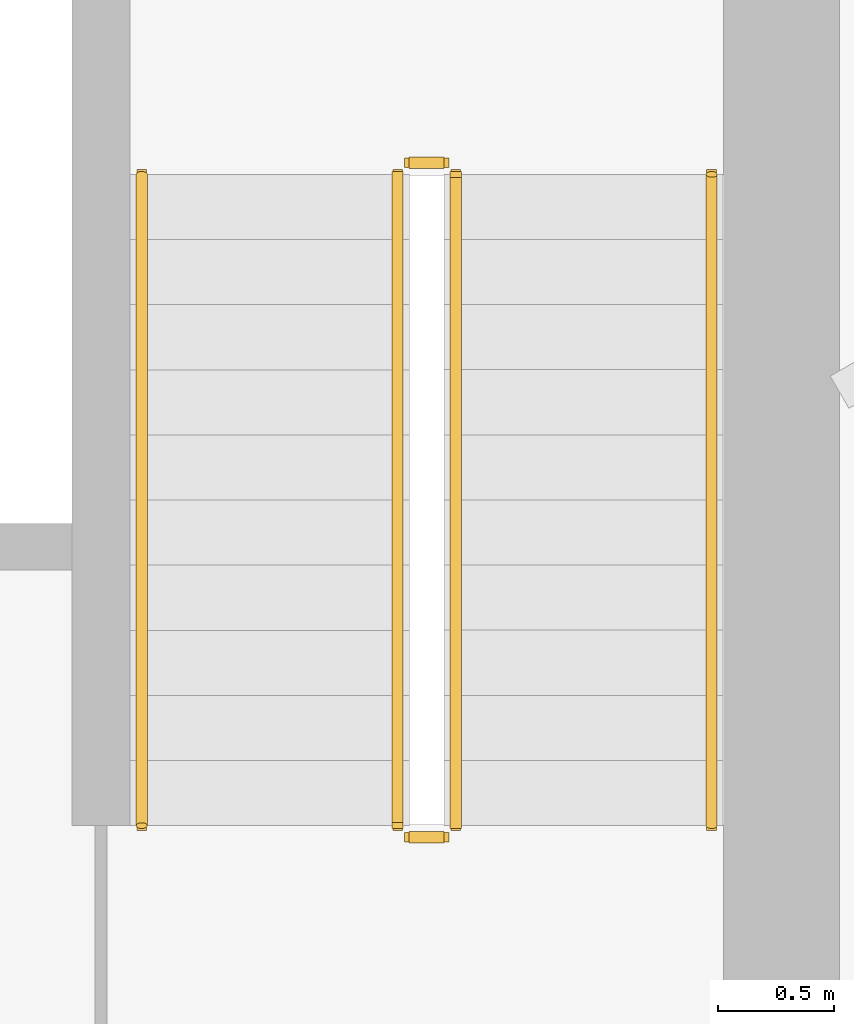
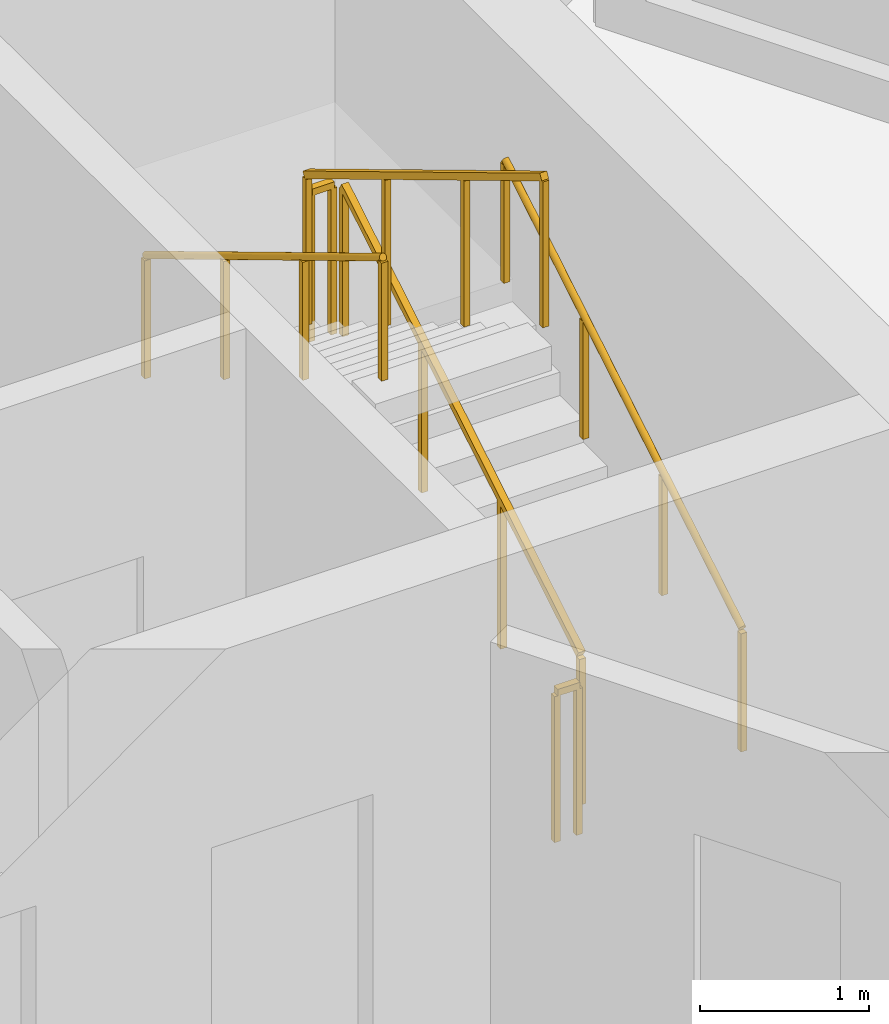
# One storey, part 14 of 14: 6 railings.
"""IFC4 building model written with IfcOpenShell, lengths in metres."""

from ifc_helpers import new_model, si_unit, direction, frame, origin, origin_2d, place, context, subcontext, project, spatial, rectangle, circle, extrude, material, type_object, element, save


model = new_model("IFC4")

# Units and contexts
model_context = context("Model", 3, precision=1e-05, world=origin(), true_north=direction((0.0, 1.0)))
body_context = subcontext(model_context, "Body", "Model", "MODEL_VIEW")
ifc_project = project(units=[si_unit("LENGTHUNIT", "METRE"), si_unit("AREAUNIT", "SQUARE_METRE"), si_unit("VOLUMEUNIT", "CUBIC_METRE"), si_unit("PLANEANGLEUNIT", "RADIAN"), si_unit("MASSUNIT", "GRAM", prefix="KILO")], contexts=[model_context])

# Site, building, storey
site_placement = place(None, origin())
site = spatial("IfcSite", under=ifc_project, at=site_placement, CompositionType="ELEMENT")
building_placement = place(site_placement, origin())
building = spatial("IfcBuilding", under=site, at=building_placement, Name="Apuvela Tower Hotel", CompositionType="ELEMENT")
storey_placement = place(building_placement, frame((0.0, 0.0, 261.5)))
storey = spatial("IfcBuildingStorey", under=building, at=storey_placement, Name="L64", CompositionType="ELEMENT", Elevation=261.5)

# Railings
ifc_material_1 = material(Name="Steel S275 balustrade", Category="steel")
railing_type_1 = type_object("IfcRailingType", Name="COR-GUARD-1100", PredefinedType="GUARDRAIL", material=ifc_material_1)
railing_1_placement = place(storey_placement, frame((3.85009765625, 14.60009765625, 0.168212890625)))
element("IfcRailing", 1, at=railing_1_placement, inside=storey, type_object=railing_type_1, Name="L64 ST1 stair guard 1", PredefinedType="GUARDRAIL", context=body_context, shape_type="SweptSolid", body=[
    extrude(rectangle(XDim=0.048095703125, YDim=0.048095703125, at=origin_2d()), frame((0.0, 0.0, 1.076171875), z_axis=(0.0, 0.857222391501, 0.514946377315), x_axis=(-1.0, 0.0, 0.0)), (0.0, 0.0, 1.0), 3.26611328125),
    extrude(rectangle(XDim=0.0419921875, YDim=0.0419921875, at=origin_2d()), origin(), (0.0, 0.0, 1.0), 1.052001953125),
    extrude(rectangle(XDim=0.0419921875, YDim=0.0419921875, at=origin_2d()), frame((0.0, 0.933349609375, 0.560546875)), (0.0, 0.0, 1.0), 1.052001953125),
    extrude(rectangle(XDim=0.0419921875, YDim=0.0419921875, at=origin_2d()), frame((0.0, 1.866455078125, 1.121337890625)), (0.0, 0.0, 1.0), 1.052001953125),
    extrude(rectangle(XDim=0.0419921875, YDim=0.0419921875, at=origin_2d()), frame((0.0, 2.7998046875, 1.681884765625)), (0.0, 0.0, 1.0), 1.052001953125),
])
railing_2_placement = place(storey_placement, frame((3.800048828125, 17.449951171875, 1.85009765625)))
element("IfcRailing", 2, at=railing_2_placement, inside=storey, type_object=railing_type_1, Name="L64 ST1 stair guard 2", PredefinedType="GUARDRAIL", context=body_context, shape_type="SweptSolid", body=[
    extrude(rectangle(XDim=0.048095703125, YDim=0.048095703125, at=origin_2d()), frame((0.0, 0.0, 1.076171875), z_axis=(-1.0, 0.0, 0.0), x_axis=(0.0, -1.0, 0.0)), (0.0, 0.0, 1.0), 0.150146484375),
    extrude(rectangle(XDim=0.0419921875, YDim=0.0419921875, at=origin_2d()), origin(), (0.0, 0.0, 1.0), 1.052001953125),
    extrude(rectangle(XDim=0.0419921875, YDim=0.0419921875, at=origin_2d()), frame((-0.150146484375, 0.0, 0.0)), (0.0, 0.0, 1.0), 1.052001953125),
])
railing_3_placement = place(storey_placement, frame((3.60009765625, 17.39990234375, 2.01806640625)))
element("IfcRailing", 3, at=railing_3_placement, inside=storey, type_object=railing_type_1, Name="L64 ST1 stair guard 3", PredefinedType="GUARDRAIL", context=body_context, shape_type="SweptSolid", body=[
    extrude(rectangle(XDim=0.048095703125, YDim=0.048095703125, at=origin_2d()), frame((0.0, 0.0, 1.076171875), z_axis=(0.0, -0.857222391501, 0.514946377315), x_axis=(1.0, 0.0, 0.0)), (0.0, 0.0, 1.0), 3.26611328125),
    extrude(rectangle(XDim=0.0419921875, YDim=0.0419921875, at=origin_2d()), origin(), (0.0, 0.0, 1.0), 1.052001953125),
    extrude(rectangle(XDim=0.0419921875, YDim=0.0419921875, at=origin_2d()), frame((0.0, -0.933349609375, 0.560546875)), (0.0, 0.0, 1.0), 1.052001953125),
    extrude(rectangle(XDim=0.0419921875, YDim=0.0419921875, at=origin_2d()), frame((0.0, -1.866455078125, 1.121337890625)), (0.0, 0.0, 1.0), 1.052001953125),
    extrude(rectangle(XDim=0.0419921875, YDim=0.0419921875, at=origin_2d()), frame((0.0, -2.7998046875, 1.681884765625)), (0.0, 0.0, 1.0), 1.052001953125),
])
railing_4_placement = place(storey_placement, frame((3.800048828125, 14.550048828125, 0.0)))
element("IfcRailing", 4, at=railing_4_placement, inside=storey, type_object=railing_type_1, Name="L64 ST1 stair guard 4", PredefinedType="GUARDRAIL", context=body_context, shape_type="SweptSolid", body=[
    extrude(rectangle(XDim=0.048095703125, YDim=0.048095703125, at=origin_2d()), frame((0.0, 0.0, 1.076171875), z_axis=(-1.0, 0.0, 0.0), x_axis=(0.0, -1.0, 0.0)), (0.0, 0.0, 1.0), 0.150146484375),
    extrude(rectangle(XDim=0.0419921875, YDim=0.0419921875, at=origin_2d()), origin(), (0.0, 0.0, 1.0), 1.052001953125),
    extrude(rectangle(XDim=0.0419921875, YDim=0.0419921875, at=origin_2d()), frame((-0.150146484375, 0.0, 0.0)), (0.0, 0.0, 1.0), 1.052001953125),
])
ifc_material_2 = material(Name="Stainless steel 316 handrail", Category="steel")
railing_type_2 = type_object("IfcRailingType", Name="COR-HANDRAIL-900", PredefinedType="HANDRAIL", material=ifc_material_2)
railing_5_placement = place(storey_placement, frame((4.949951171875, 14.60009765625, 0.168212890625)))
element("IfcRailing", 5, at=railing_5_placement, inside=storey, type_object=railing_type_2, Name="L64 ST1 stair handrail 1", PredefinedType="HANDRAIL", context=body_context, shape_type="SweptSolid", body=[
    extrude(circle(Radius=0.02392578125, at=origin_2d()), frame((0.0, 0.0, 0.8759765625), z_axis=(0.0, 0.857222391501, 0.514946377315), x_axis=(-1.0, 0.0, 0.0)), (0.0, 0.0, 1.0), 3.26611328125),
    extrude(rectangle(XDim=0.0419921875, YDim=0.0419921875, at=origin_2d()), origin(), (0.0, 0.0, 1.0), 0.851806640625),
    extrude(rectangle(XDim=0.0419921875, YDim=0.0419921875, at=origin_2d()), frame((0.0, 0.933349609375, 0.560546875)), (0.0, 0.0, 1.0), 0.851806640625),
    extrude(rectangle(XDim=0.0419921875, YDim=0.0419921875, at=origin_2d()), frame((0.0, 1.866455078125, 1.121337890625)), (0.0, 0.0, 1.0), 0.851806640625),
    extrude(rectangle(XDim=0.0419921875, YDim=0.0419921875, at=origin_2d()), frame((0.0, 2.7998046875, 1.681884765625)), (0.0, 0.0, 1.0), 0.851806640625),
])
railing_6_placement = place(storey_placement, frame((2.5, 17.39990234375, 2.01806640625)))
element("IfcRailing", 6, at=railing_6_placement, inside=storey, type_object=railing_type_2, Name="L64 ST1 stair handrail 2", PredefinedType="HANDRAIL", context=body_context, shape_type="SweptSolid", body=[
    extrude(circle(Radius=0.02392578125, at=origin_2d()), frame((0.0, 0.0, 0.8759765625), z_axis=(0.0, -0.857222391501, 0.514946377315), x_axis=(1.0, 0.0, 0.0)), (0.0, 0.0, 1.0), 3.26611328125),
    extrude(rectangle(XDim=0.0419921875, YDim=0.0419921875, at=origin_2d()), origin(), (0.0, 0.0, 1.0), 0.851806640625),
    extrude(rectangle(XDim=0.0419921875, YDim=0.0419921875, at=origin_2d()), frame((0.0, -0.933349609375, 0.560546875)), (0.0, 0.0, 1.0), 0.851806640625),
    extrude(rectangle(XDim=0.0419921875, YDim=0.0419921875, at=origin_2d()), frame((0.0, -1.866455078125, 1.121337890625)), (0.0, 0.0, 1.0), 0.851806640625),
    extrude(rectangle(XDim=0.0419921875, YDim=0.0419921875, at=origin_2d()), frame((0.0, -2.7998046875, 1.681884765625)), (0.0, 0.0, 1.0), 0.851806640625),
])

save(model, "model.ifc")
